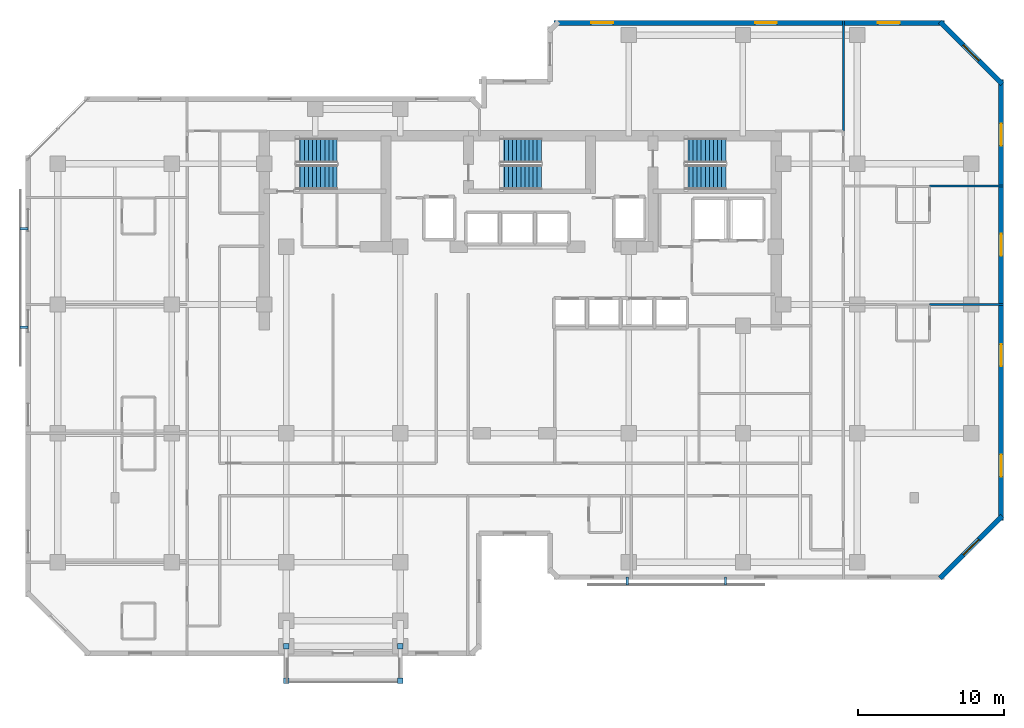
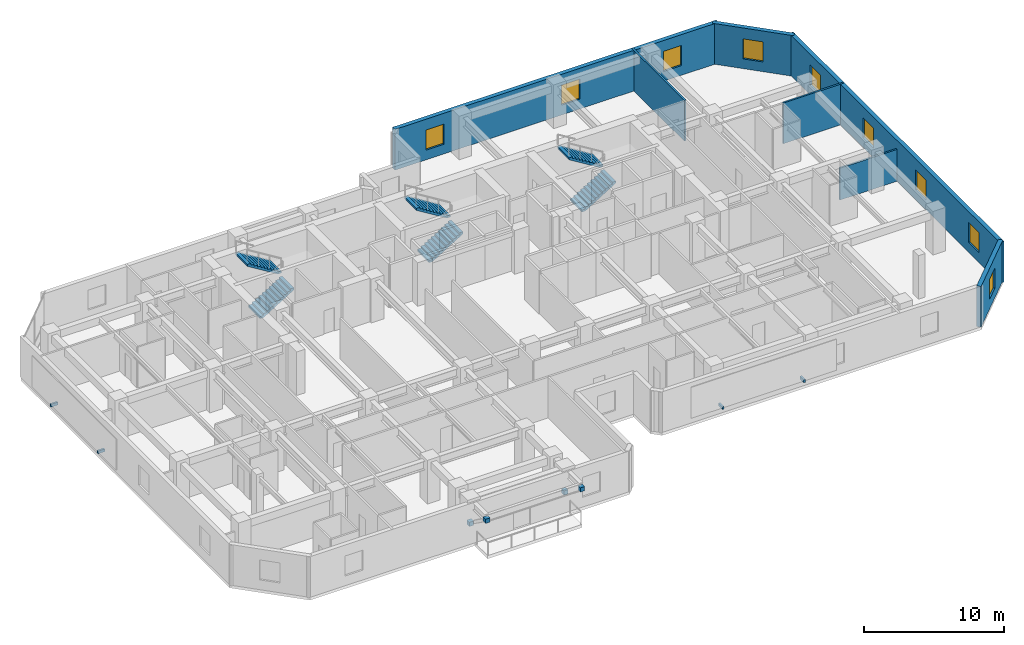
# One storey, part 9 of 11: 9 windows, 8 discrete accessories, 7 walls, 6 stair flights, 9 openings, 3 elements without a shape of their own.
"""IFC4 building model written with IfcOpenShell, lengths in metres."""

from ifc_helpers import new_model, si_unit, direction, frame, frame_2d, origin, origin_2d, place, context, subcontext, project, spatial, polyline, rectangle, outline, extrude, material, layer, layer_set, type_object, element, fill, aggregate, save


model = new_model("IFC4")

# Units and contexts
model_context = context("Model", 3, precision=1e-05, world=origin(), true_north=direction((0.0, 1.0)))
body_context = subcontext(model_context, "Body", "Model", "MODEL_VIEW")
ifc_project = project(units=[si_unit("LENGTHUNIT", "METRE"), si_unit("AREAUNIT", "SQUARE_METRE"), si_unit("VOLUMEUNIT", "CUBIC_METRE"), si_unit("PLANEANGLEUNIT", "RADIAN"), si_unit("MASSUNIT", "GRAM", prefix="KILO")], contexts=[model_context])

# Site, building, storey
site_placement = place(None, origin())
site = spatial("IfcSite", under=ifc_project, at=site_placement, CompositionType="ELEMENT")
building_placement = place(site_placement, origin())
building = spatial("IfcBuilding", under=site, at=building_placement, Name="Kestravale Grand Hotel", CompositionType="ELEMENT")
storey_placement = place(building_placement, frame((0.0, 0.0, 165.0)))
storey = spatial("IfcBuildingStorey", under=building, at=storey_placement, Name="L41", CompositionType="ELEMENT", Elevation=165.0)

# Wall, opening, window
ifc_material_1 = material(Name="Precast concrete f'c 45 MPa", Category="concrete")
ifc_layer_1 = layer(ifc_material_1, 0.340087890625)
ifc_layer_set_1 = layer_set([ifc_layer_1], Name="EW-PREC-340")
wall_type_1 = type_object("IfcWallType", Name="EW-PREC-340", PredefinedType="SOLIDWALL", material=ifc_layer_set_1)
wall_1_placement = place(storey_placement, frame((68.051513671875, 10.091796875, 0.0), z_axis=(0.0, 0.0, 1.0), x_axis=(0.707106781187, 0.707106781187, 0.0)))
wall_1 = element("IfcWall", 1, at=wall_1_placement, inside=storey, type_object=wall_type_1, Name="L41 fluted precast facade wall 8", PredefinedType="SOLIDWALL", context=body_context, shape_type="SweptSolid", body=[
    extrude(rectangle(XDim=6.019775390625, YDim=0.340087890625, at=frame_2d((3.009765625, 0.0))), origin(), (0.0, 0.0, 1.0), 3.550048828125),
])
opening_1_placement = place(wall_1_placement, frame((2.260009765625, 0.0, 0.85009765625)))
opening_1 = element("IfcOpeningElement", 2, at=opening_1_placement, cuts=wall_1, Name="Opening W-GUEST-1500", PredefinedType="OPENING", context=body_context, shape_type="SweptSolid", body=[
    extrude(rectangle(XDim=1.5, YDim=1.75, at=frame_2d((0.75, 0.875))), frame((0.0, 0.179931640625, 0.0), z_axis=(0.0, -1.0, 0.0), x_axis=(1.0, 0.0, 0.0)), (0.0, 0.0, 1.0), 0.360107421875),
])
ifc_material_2 = material(Name="Insulated low-E double glazing in aluminium frame", Category="aluminium")
window_type = type_object("IfcWindowType", Name="W-GUEST-1500", PartitioningType="SINGLE_PANEL", PredefinedType="WINDOW", material=ifc_material_2)
window_1_placement = place(opening_1_placement, origin())
window_1 = element("IfcWindow", 3, at=window_1_placement, inside=storey, type_object=window_type, Name="L41 exterior window 8.1", OverallHeight=1.75, OverallWidth=1.5, PartitioningType="SINGLE_PANEL", PredefinedType="WINDOW", context=body_context, shape_type="SweptSolid", body=[
    extrude(rectangle(XDim=1.5, YDim=1.75, at=frame_2d((0.75, 0.875))), frame((0.0, 0.030029296875, 0.0), z_axis=(0.0, -1.0, 0.0), x_axis=(1.0, 0.0, 0.0)), (0.0, 0.0, 1.0), 0.06005859375),
])
fill(opening_1, window_1)

# Wall, openings, windows
wall_2_placement = place(storey_placement, frame((72.22998046875, 14.030029296875, 0.0), z_axis=(0.0, 0.0, 1.0), x_axis=(0.0, 1.0, 0.0)))
wall_2 = element("IfcWall", 4, at=wall_2_placement, inside=storey, type_object=wall_type_1, Name="L41 fluted precast facade wall 9", PredefinedType="SOLIDWALL", context=body_context, shape_type="SweptSolid", body=[
    extrude(rectangle(XDim=30.139892578125, YDim=0.340087890625, at=frame_2d((15.06982421875, 0.0))), origin(), (0.0, 0.0, 1.0), 3.550048828125),
])
opening_2_placement = place(wall_2_placement, frame((3.017578125, 0.0, 0.85009765625)))
opening_2 = element("IfcOpeningElement", 5, at=opening_2_placement, cuts=wall_2, Name="Opening W-GUEST-1500", PredefinedType="OPENING", context=body_context, shape_type="SweptSolid", body=[
    extrude(rectangle(XDim=1.5, YDim=1.75, at=frame_2d((0.75, 0.875))), frame((0.0, 0.179931640625, 0.0), z_axis=(0.0, -1.0, 0.0), x_axis=(1.0, 0.0, 0.0)), (0.0, 0.0, 1.0), 0.360107421875),
])
opening_3_placement = place(wall_2_placement, frame((10.552490234375, 0.0, 0.85009765625)))
opening_3 = element("IfcOpeningElement", 6, at=opening_3_placement, cuts=wall_2, Name="Opening W-GUEST-1500", PredefinedType="OPENING", context=body_context, shape_type="SweptSolid", body=[
    extrude(rectangle(XDim=1.5, YDim=1.75, at=frame_2d((0.75, 0.875))), frame((0.0, 0.179931640625, 0.0), z_axis=(0.0, -1.0, 0.0), x_axis=(1.0, 0.0, 0.0)), (0.0, 0.0, 1.0), 0.360107421875),
])
opening_4_placement = place(wall_2_placement, frame((18.08740234375, 0.0, 0.85009765625)))
opening_4 = element("IfcOpeningElement", 7, at=opening_4_placement, cuts=wall_2, Name="Opening W-GUEST-1500", PredefinedType="OPENING", context=body_context, shape_type="SweptSolid", body=[
    extrude(rectangle(XDim=1.5, YDim=1.75, at=frame_2d((0.75, 0.875))), frame((0.0, 0.179931640625, 0.0), z_axis=(0.0, -1.0, 0.0), x_axis=(1.0, 0.0, 0.0)), (0.0, 0.0, 1.0), 0.360107421875),
])
opening_5_placement = place(wall_2_placement, frame((25.62255859375, 0.0, 0.85009765625)))
opening_5 = element("IfcOpeningElement", 8, at=opening_5_placement, cuts=wall_2, Name="Opening W-GUEST-1500", PredefinedType="OPENING", context=body_context, shape_type="SweptSolid", body=[
    extrude(rectangle(XDim=1.5, YDim=1.75, at=frame_2d((0.75, 0.875))), frame((0.0, 0.179931640625, 0.0), z_axis=(0.0, -1.0, 0.0), x_axis=(1.0, 0.0, 0.0)), (0.0, 0.0, 1.0), 0.360107421875),
])
window_2_placement = place(opening_2_placement, origin())
window_2 = element("IfcWindow", 9, at=window_2_placement, inside=storey, type_object=window_type, Name="L41 exterior window 9.1", OverallHeight=1.75, OverallWidth=1.5, PartitioningType="SINGLE_PANEL", PredefinedType="WINDOW", context=body_context, shape_type="SweptSolid", body=[
    extrude(rectangle(XDim=1.5, YDim=1.75, at=frame_2d((0.75, 0.875))), frame((0.0, 0.030029296875, 0.0), z_axis=(0.0, -1.0, 0.0), x_axis=(1.0, 0.0, 0.0)), (0.0, 0.0, 1.0), 0.06005859375),
])
fill(opening_2, window_2)
window_3_placement = place(opening_3_placement, origin())
window_3 = element("IfcWindow", 10, at=window_3_placement, inside=storey, type_object=window_type, Name="L41 exterior window 9.2", OverallHeight=1.75, OverallWidth=1.5, PartitioningType="SINGLE_PANEL", PredefinedType="WINDOW", context=body_context, shape_type="SweptSolid", body=[
    extrude(rectangle(XDim=1.5, YDim=1.75, at=frame_2d((0.75, 0.875))), frame((0.0, 0.030029296875, 0.0), z_axis=(0.0, -1.0, 0.0), x_axis=(1.0, 0.0, 0.0)), (0.0, 0.0, 1.0), 0.06005859375),
])
fill(opening_3, window_3)
window_4_placement = place(opening_4_placement, origin())
window_4 = element("IfcWindow", 11, at=window_4_placement, inside=storey, type_object=window_type, Name="L41 exterior window 9.3", OverallHeight=1.75, OverallWidth=1.5, PartitioningType="SINGLE_PANEL", PredefinedType="WINDOW", context=body_context, shape_type="SweptSolid", body=[
    extrude(rectangle(XDim=1.5, YDim=1.75, at=frame_2d((0.75, 0.875))), frame((0.0, 0.030029296875, 0.0), z_axis=(0.0, -1.0, 0.0), x_axis=(1.0, 0.0, 0.0)), (0.0, 0.0, 1.0), 0.06005859375),
])
fill(opening_4, window_4)
window_5_placement = place(opening_5_placement, origin())
window_5 = element("IfcWindow", 12, at=window_5_placement, inside=storey, type_object=window_type, Name="L41 exterior window 9.4", OverallHeight=1.75, OverallWidth=1.5, PartitioningType="SINGLE_PANEL", PredefinedType="WINDOW", context=body_context, shape_type="SweptSolid", body=[
    extrude(rectangle(XDim=1.5, YDim=1.75, at=frame_2d((0.75, 0.875))), frame((0.0, 0.030029296875, 0.0), z_axis=(0.0, -1.0, 0.0), x_axis=(1.0, 0.0, 0.0)), (0.0, 0.0, 1.0), 0.06005859375),
])
fill(opening_5, window_5)

# Wall, opening, window
wall_3_placement = place(storey_placement, frame((72.30810546875, 43.8515625, 0.0), z_axis=(0.0, 0.0, 1.0), x_axis=(-0.707106781187, 0.707106781187, 0.0)))
wall_3 = element("IfcWall", 13, at=wall_3_placement, inside=storey, type_object=wall_type_1, Name="L41 fluted precast facade wall 10", PredefinedType="SOLIDWALL", context=body_context, shape_type="SweptSolid", body=[
    extrude(rectangle(XDim=6.019775390625, YDim=0.340087890625, at=frame_2d((3.009765625, 0.0))), origin(), (0.0, 0.0, 1.0), 3.550048828125),
])
opening_6_placement = place(wall_3_placement, frame((2.260009765625, 0.0, 0.85009765625)))
opening_6 = element("IfcOpeningElement", 14, at=opening_6_placement, cuts=wall_3, Name="Opening W-GUEST-1500", PredefinedType="OPENING", context=body_context, shape_type="SweptSolid", body=[
    extrude(rectangle(XDim=1.5, YDim=1.75, at=frame_2d((0.75, 0.875))), frame((0.0, 0.179931640625, 0.0), z_axis=(0.0, -1.0, 0.0), x_axis=(1.0, 0.0, 0.0)), (0.0, 0.0, 1.0), 0.360107421875),
])
window_6_placement = place(opening_6_placement, origin())
window_6 = element("IfcWindow", 15, at=window_6_placement, inside=storey, type_object=window_type, Name="L41 exterior window 10.1", OverallHeight=1.75, OverallWidth=1.5, PartitioningType="SINGLE_PANEL", PredefinedType="WINDOW", context=body_context, shape_type="SweptSolid", body=[
    extrude(rectangle(XDim=1.5, YDim=1.75, at=frame_2d((0.75, 0.875))), frame((0.0, 0.030029296875, 0.0), z_axis=(0.0, -1.0, 0.0), x_axis=(1.0, 0.0, 0.0)), (0.0, 0.0, 1.0), 0.06005859375),
])
fill(opening_6, window_6)

# Wall, openings, windows
wall_4_placement = place(storey_placement, frame((68.3701171875, 48.030029296875, 0.0), z_axis=(0.0, 0.0, 1.0), x_axis=(-1.0, 0.0, 0.0)))
wall_4 = element("IfcWall", 16, at=wall_4_placement, inside=storey, type_object=wall_type_1, Name="L41 fluted precast facade wall 11", PredefinedType="SOLIDWALL", context=body_context, shape_type="SweptSolid", body=[
    extrude(rectangle(XDim=26.690185546875, YDim=0.340087890625, at=frame_2d((13.34521484375, 0.0))), origin(), (0.0, 0.0, 1.0), 3.550048828125),
])
opening_7_placement = place(wall_4_placement, frame((3.04833984375, 0.0, 0.85009765625)))
opening_7 = element("IfcOpeningElement", 17, at=opening_7_placement, cuts=wall_4, Name="Opening W-GUEST-1500", PredefinedType="OPENING", context=body_context, shape_type="SweptSolid", body=[
    extrude(rectangle(XDim=1.5, YDim=1.75, at=frame_2d((0.75, 0.875))), frame((0.0, 0.179931640625, 0.0), z_axis=(0.0, -1.0, 0.0), x_axis=(1.0, 0.0, 0.0)), (0.0, 0.0, 1.0), 0.360107421875),
])
opening_8_placement = place(wall_4_placement, frame((11.445068359375, 0.0, 0.85009765625)))
opening_8 = element("IfcOpeningElement", 18, at=opening_8_placement, cuts=wall_4, Name="Opening W-GUEST-1500", PredefinedType="OPENING", context=body_context, shape_type="SweptSolid", body=[
    extrude(rectangle(XDim=1.5, YDim=1.75, at=frame_2d((0.75, 0.875))), frame((0.0, 0.179931640625, 0.0), z_axis=(0.0, -1.0, 0.0), x_axis=(1.0, 0.0, 0.0)), (0.0, 0.0, 1.0), 0.360107421875),
])
opening_9_placement = place(wall_4_placement, frame((22.6416015625, 0.0, 0.85009765625)))
opening_9 = element("IfcOpeningElement", 19, at=opening_9_placement, cuts=wall_4, Name="Opening W-GUEST-1500", PredefinedType="OPENING", context=body_context, shape_type="SweptSolid", body=[
    extrude(rectangle(XDim=1.5, YDim=1.75, at=frame_2d((0.75, 0.875))), frame((0.0, 0.179931640625, 0.0), z_axis=(0.0, -1.0, 0.0), x_axis=(1.0, 0.0, 0.0)), (0.0, 0.0, 1.0), 0.360107421875),
])
window_7_placement = place(opening_7_placement, origin())
window_7 = element("IfcWindow", 20, at=window_7_placement, inside=storey, type_object=window_type, Name="L41 exterior window 11.1", OverallHeight=1.75, OverallWidth=1.5, PartitioningType="SINGLE_PANEL", PredefinedType="WINDOW", context=body_context, shape_type="SweptSolid", body=[
    extrude(rectangle(XDim=1.5, YDim=1.75, at=frame_2d((0.75, 0.875))), frame((0.0, 0.030029296875, 0.0), z_axis=(0.0, -1.0, 0.0), x_axis=(1.0, 0.0, 0.0)), (0.0, 0.0, 1.0), 0.06005859375),
])
fill(opening_7, window_7)
window_8_placement = place(opening_8_placement, origin())
window_8 = element("IfcWindow", 21, at=window_8_placement, inside=storey, type_object=window_type, Name="L41 exterior window 11.2", OverallHeight=1.75, OverallWidth=1.5, PartitioningType="SINGLE_PANEL", PredefinedType="WINDOW", context=body_context, shape_type="SweptSolid", body=[
    extrude(rectangle(XDim=1.5, YDim=1.75, at=frame_2d((0.75, 0.875))), frame((0.0, 0.030029296875, 0.0), z_axis=(0.0, -1.0, 0.0), x_axis=(1.0, 0.0, 0.0)), (0.0, 0.0, 1.0), 0.06005859375),
])
fill(opening_8, window_8)
window_9_placement = place(opening_9_placement, origin())
window_9 = element("IfcWindow", 22, at=window_9_placement, inside=storey, type_object=window_type, Name="L41 exterior window 11.3", OverallHeight=1.75, OverallWidth=1.5, PartitioningType="SINGLE_PANEL", PredefinedType="WINDOW", context=body_context, shape_type="SweptSolid", body=[
    extrude(rectangle(XDim=1.5, YDim=1.75, at=frame_2d((0.75, 0.875))), frame((0.0, 0.030029296875, 0.0), z_axis=(0.0, -1.0, 0.0), x_axis=(1.0, 0.0, 0.0)), (0.0, 0.0, 1.0), 0.06005859375),
])
fill(opening_9, window_9)

# Walls
ifc_material_3 = material(Name="Double-stud STC 52 acoustic demising partition", Category="other")
ifc_layer_2 = layer(ifc_material_3, 0.14990234375)
ifc_layer_set_2 = layer_set([ifc_layer_2], Name="IW-UNIT-150")
wall_type_2 = type_object("IfcWallType", Name="IW-UNIT-150", PredefinedType="PARTITIONING", material=ifc_layer_set_2)
wall_5_placement = place(storey_placement, frame((61.4599609375, 40.64990234375, 0.0), z_axis=(0.0, 0.0, 1.0), x_axis=(0.0, 1.0, 0.0)))
element("IfcWall", 23, at=wall_5_placement, inside=storey, type_object=wall_type_2, Name="W-L41-NGE-E", PredefinedType="PARTITIONING", context=body_context, shape_type="SweptSolid", body=[
    extrude(rectangle(XDim=7.530029296875, YDim=0.14990234375, at=frame_2d((3.76513671875, 0.0))), origin(), (0.0, 0.0, 1.0), 3.550048828125),
])
wall_6_placement = place(storey_placement, frame((67.35009765625, 28.800048828125, 0.0), z_axis=(0.0, 0.0, 1.0), x_axis=(1.0, 0.0, 0.0)))
element("IfcWall", 24, at=wall_6_placement, inside=storey, type_object=wall_type_2, Name="W-L41-EW-1", PredefinedType="PARTITIONING", context=body_context, shape_type="SweptSolid", body=[
    extrude(rectangle(XDim=5.02978515625, YDim=0.14990234375, at=frame_2d((2.514892578125, 0.0))), origin(), (0.0, 0.0, 1.0), 2.778076171875),
])
wall_7_placement = place(storey_placement, frame((67.35009765625, 36.89990234375, 0.0), z_axis=(0.0, 0.0, 1.0), x_axis=(1.0, 0.0, 0.0)))
element("IfcWall", 25, at=wall_7_placement, inside=storey, type_object=wall_type_2, Name="W-L41-EW-2", PredefinedType="PARTITIONING", context=body_context, shape_type="SweptSolid", body=[
    extrude(rectangle(XDim=5.02978515625, YDim=0.14990234375, at=frame_2d((2.514892578125, 0.0))), origin(), (0.0, 0.0, 1.0), 3.550048828125),
])

# Stair, stair flights
ifc_material_4 = material(Name="Concrete f'c 45 MPa", Category="concrete")
stair_type = type_object("IfcStairType", Name="ST-CORE-380", PredefinedType="HALF_TURN_STAIR", material=ifc_material_4)
stair_1_placement = place(storey_placement, origin())
stair_1 = element("IfcStair", 26, at=stair_1_placement, inside=storey, type_object=stair_type, Name="L41 ST-1", PredefinedType="HALF_TURN_STAIR")
ifc_material_5 = material(Name="Concrete f'c 45 MPa", Category="concrete")
stair_flight_type = type_object("IfcStairFlightType", Name="STF-CORE-380", PredefinedType="STRAIGHT", material=ifc_material_5)
stair_flight_1_placement = place(storey_placement, frame((24.080078125, 37.489990234375, 0.0), z_axis=(0.0, 0.0, 1.0), x_axis=(1.0, 0.0, 0.0)))
stair_flight_1 = element("IfcStairFlight", 27, at=stair_flight_1_placement, type_object=stair_flight_type, Name="ST-1 flight 1", NumberOfRisers=11, NumberOfTreads=10, PredefinedType="STRAIGHT", RiserHeight=0.172727273, TreadLength=0.28, context=body_context, shape_type="SweptSolid", body=[
    extrude(outline(polyline([(0.0, 0.0), (0.0, 0.172607421875), (0.280029296875, 0.172607421875), (0.280029296875, 0.345458984375), (0.56005859375, 0.345458984375), (0.56005859375, 0.51806640625), (0.840087890625, 0.51806640625), (0.840087890625, 0.69091796875), (1.1201171875, 0.69091796875), (1.1201171875, 0.863525390625), (1.39990234375, 0.863525390625), (1.39990234375, 1.036376953125), (1.679931640625, 1.036376953125), (1.679931640625, 1.208984375), (1.9599609375, 1.208984375), (1.9599609375, 1.3818359375), (2.239990234375, 1.3818359375), (2.239990234375, 1.554443359375), (2.52001953125, 1.554443359375), (2.52001953125, 1.727294921875), (2.800048828125, 1.727294921875), (2.800048828125, 1.89990234375), (2.800048828125, 1.551025390625), (0.285400390625, 0.0), (0.0, 0.0)])), frame((0.0, 0.83984375, 0.0), z_axis=(0.0, -1.0, 0.0), x_axis=(1.0, 0.0, 0.0)), (0.0, 0.0, 1.0), 1.679931640625),
])
stair_flight_2_placement = place(storey_placement, frame((26.8798828125, 39.320068359375, 1.89990234375), z_axis=(0.0, 0.0, 1.0), x_axis=(-1.0, 0.0, 0.0)))
stair_flight_2 = element("IfcStairFlight", 28, at=stair_flight_2_placement, type_object=stair_flight_type, Name="ST-1 flight 2", NumberOfRisers=11, NumberOfTreads=10, PredefinedType="STRAIGHT", RiserHeight=0.172727273, TreadLength=0.28, context=body_context, shape_type="SweptSolid", body=[
    extrude(outline(polyline([(0.0, 0.0), (0.0, 0.172607421875), (0.280029296875, 0.172607421875), (0.280029296875, 0.345458984375), (0.56005859375, 0.345458984375), (0.56005859375, 0.51806640625), (0.840087890625, 0.51806640625), (0.840087890625, 0.69091796875), (1.1201171875, 0.69091796875), (1.1201171875, 0.863525390625), (1.39990234375, 0.863525390625), (1.39990234375, 1.036376953125), (1.679931640625, 1.036376953125), (1.679931640625, 1.208984375), (1.9599609375, 1.208984375), (1.9599609375, 1.3818359375), (2.239990234375, 1.3818359375), (2.239990234375, 1.554443359375), (2.52001953125, 1.554443359375), (2.52001953125, 1.727294921875), (2.800048828125, 1.727294921875), (2.800048828125, 1.89990234375), (2.800048828125, 1.551025390625), (0.285400390625, 0.0), (0.0, 0.0)])), frame((0.0, 0.83984375, 0.0), z_axis=(0.0, -1.0, 0.0), x_axis=(1.0, 0.0, 0.0)), (0.0, 0.0, 1.0), 1.679931640625),
])
aggregate(stair_1, [stair_flight_1, stair_flight_2])

stair_2_placement = place(storey_placement, origin())
stair_2 = element("IfcStair", 29, at=stair_2_placement, inside=storey, type_object=stair_type, Name="L41 ST-2", PredefinedType="HALF_TURN_STAIR")
stair_flight_3_placement = place(storey_placement, frame((38.030029296875, 37.489990234375, 0.0), z_axis=(0.0, 0.0, 1.0), x_axis=(1.0, 0.0, 0.0)))
stair_flight_3 = element("IfcStairFlight", 30, at=stair_flight_3_placement, type_object=stair_flight_type, Name="ST-2 flight 1", NumberOfRisers=11, NumberOfTreads=10, PredefinedType="STRAIGHT", RiserHeight=0.172727273, TreadLength=0.28, context=body_context, shape_type="SweptSolid", body=[
    extrude(outline(polyline([(0.0, 0.0), (0.0, 0.172607421875), (0.280029296875, 0.172607421875), (0.280029296875, 0.345458984375), (0.56005859375, 0.345458984375), (0.56005859375, 0.51806640625), (0.840087890625, 0.51806640625), (0.840087890625, 0.69091796875), (1.1201171875, 0.69091796875), (1.1201171875, 0.863525390625), (1.39990234375, 0.863525390625), (1.39990234375, 1.036376953125), (1.679931640625, 1.036376953125), (1.679931640625, 1.208984375), (1.9599609375, 1.208984375), (1.9599609375, 1.3818359375), (2.239990234375, 1.3818359375), (2.239990234375, 1.554443359375), (2.52001953125, 1.554443359375), (2.52001953125, 1.727294921875), (2.800048828125, 1.727294921875), (2.800048828125, 1.89990234375), (2.800048828125, 1.551025390625), (0.285400390625, 0.0), (0.0, 0.0)])), frame((0.0, 0.83984375, 0.0), z_axis=(0.0, -1.0, 0.0), x_axis=(1.0, 0.0, 0.0)), (0.0, 0.0, 1.0), 1.679931640625),
])
stair_flight_4_placement = place(storey_placement, frame((40.830078125, 39.320068359375, 1.89990234375), z_axis=(0.0, 0.0, 1.0), x_axis=(-1.0, 0.0, 0.0)))
stair_flight_4 = element("IfcStairFlight", 31, at=stair_flight_4_placement, type_object=stair_flight_type, Name="ST-2 flight 2", NumberOfRisers=11, NumberOfTreads=10, PredefinedType="STRAIGHT", RiserHeight=0.172727273, TreadLength=0.28, context=body_context, shape_type="SweptSolid", body=[
    extrude(outline(polyline([(0.0, 0.0), (0.0, 0.172607421875), (0.280029296875, 0.172607421875), (0.280029296875, 0.345458984375), (0.56005859375, 0.345458984375), (0.56005859375, 0.51806640625), (0.840087890625, 0.51806640625), (0.840087890625, 0.69091796875), (1.1201171875, 0.69091796875), (1.1201171875, 0.863525390625), (1.39990234375, 0.863525390625), (1.39990234375, 1.036376953125), (1.679931640625, 1.036376953125), (1.679931640625, 1.208984375), (1.9599609375, 1.208984375), (1.9599609375, 1.3818359375), (2.239990234375, 1.3818359375), (2.239990234375, 1.554443359375), (2.52001953125, 1.554443359375), (2.52001953125, 1.727294921875), (2.800048828125, 1.727294921875), (2.800048828125, 1.89990234375), (2.800048828125, 1.551025390625), (0.285400390625, 0.0), (0.0, 0.0)])), frame((0.0, 0.83984375, 0.0), z_axis=(0.0, -1.0, 0.0), x_axis=(1.0, 0.0, 0.0)), (0.0, 0.0, 1.0), 1.679931640625),
])
aggregate(stair_2, [stair_flight_3, stair_flight_4])

stair_3_placement = place(storey_placement, origin())
stair_3 = element("IfcStair", 32, at=stair_3_placement, inside=storey, type_object=stair_type, Name="L41 ST-3", PredefinedType="HALF_TURN_STAIR")
stair_flight_5_placement = place(storey_placement, frame((50.6298828125, 37.489990234375, 0.0), z_axis=(0.0, 0.0, 1.0), x_axis=(1.0, 0.0, 0.0)))
stair_flight_5 = element("IfcStairFlight", 33, at=stair_flight_5_placement, type_object=stair_flight_type, Name="ST-3 flight 1", NumberOfRisers=11, NumberOfTreads=10, PredefinedType="STRAIGHT", RiserHeight=0.172727273, TreadLength=0.28, context=body_context, shape_type="SweptSolid", body=[
    extrude(outline(polyline([(0.0, 0.0), (0.0, 0.172607421875), (0.280029296875, 0.172607421875), (0.280029296875, 0.345458984375), (0.56005859375, 0.345458984375), (0.56005859375, 0.51806640625), (0.840087890625, 0.51806640625), (0.840087890625, 0.69091796875), (1.1201171875, 0.69091796875), (1.1201171875, 0.863525390625), (1.39990234375, 0.863525390625), (1.39990234375, 1.036376953125), (1.679931640625, 1.036376953125), (1.679931640625, 1.208984375), (1.9599609375, 1.208984375), (1.9599609375, 1.3818359375), (2.239990234375, 1.3818359375), (2.239990234375, 1.554443359375), (2.52001953125, 1.554443359375), (2.52001953125, 1.727294921875), (2.800048828125, 1.727294921875), (2.800048828125, 1.89990234375), (2.800048828125, 1.551025390625), (0.285400390625, 0.0), (0.0, 0.0)])), frame((0.0, 0.83984375, 0.0), z_axis=(0.0, -1.0, 0.0), x_axis=(1.0, 0.0, 0.0)), (0.0, 0.0, 1.0), 1.679931640625),
])
stair_flight_6_placement = place(storey_placement, frame((53.429931640625, 39.320068359375, 1.89990234375), z_axis=(0.0, 0.0, 1.0), x_axis=(-1.0, 0.0, 0.0)))
stair_flight_6 = element("IfcStairFlight", 34, at=stair_flight_6_placement, type_object=stair_flight_type, Name="ST-3 flight 2", NumberOfRisers=11, NumberOfTreads=10, PredefinedType="STRAIGHT", RiserHeight=0.172727273, TreadLength=0.28, context=body_context, shape_type="SweptSolid", body=[
    extrude(outline(polyline([(0.0, 0.0), (0.0, 0.172607421875), (0.280029296875, 0.172607421875), (0.280029296875, 0.345458984375), (0.56005859375, 0.345458984375), (0.56005859375, 0.51806640625), (0.840087890625, 0.51806640625), (0.840087890625, 0.69091796875), (1.1201171875, 0.69091796875), (1.1201171875, 0.863525390625), (1.39990234375, 0.863525390625), (1.39990234375, 1.036376953125), (1.679931640625, 1.036376953125), (1.679931640625, 1.208984375), (1.9599609375, 1.208984375), (1.9599609375, 1.3818359375), (2.239990234375, 1.3818359375), (2.239990234375, 1.554443359375), (2.52001953125, 1.554443359375), (2.52001953125, 1.727294921875), (2.800048828125, 1.727294921875), (2.800048828125, 1.89990234375), (2.800048828125, 1.551025390625), (0.285400390625, 0.0), (0.0, 0.0)])), frame((0.0, 0.83984375, 0.0), z_axis=(0.0, -1.0, 0.0), x_axis=(1.0, 0.0, 0.0)), (0.0, 0.0, 1.0), 1.679931640625),
])
aggregate(stair_3, [stair_flight_5, stair_flight_6])

# Discrete accessories
ifc_material_6 = material(Name="Steel ASTM A572 Grade 50 hot-dip galvanised bracket", Category="steel")
discrete_accessory_type = type_object("IfcDiscreteAccessoryType", Name="ACC-BRK-STL", PredefinedType="BRACKET", material=ifc_material_6)
for number, where, z_axis, x_axis, name in (
    (35, (23.39990234375, 5.449951171875, 1.19384765625), (0.0, 0.0, 1.0), (1.0, 0.0, 0.0), "L42 terrace strut column bracket 1"),
    (36, (23.39990234375, 3.10009765625, 2.89404296875), (0.0, 0.0, 1.0), (1.0, 0.0, 0.0), "L42 terrace strut beam bracket 1"),
    (37, (31.199951171875, 5.449951171875, 1.19384765625), (0.0, 0.0, 1.0), (1.0, 0.0, 0.0), "L42 terrace strut column bracket 2"),
    (38, (31.199951171875, 3.10009765625, 2.89404296875), (0.0, 0.0, 1.0), (1.0, 0.0, 0.0), "L42 terrace strut beam bracket 2"),
):
    element("IfcDiscreteAccessory", number, at=place(storey_placement, frame(where, z_axis=z_axis, x_axis=x_axis)), inside=storey, type_object=discrete_accessory_type, Name=name, PredefinedType="BRACKET", context=body_context, shape_type="SweptSolid", body=[
        extrude(rectangle(XDim=0.360107421875, YDim=0.360107421875, at=origin_2d()), origin(), (0.0, 0.0, 1.0), 0.360107421875),
    ])
for number, where, z_axis, x_axis, name in (
    (39, (46.68994140625, 9.905029296875, 0.56005859375), (0.0, 0.0, 1.0), (1.0, 0.0, 0.0), "L41 solar screen standoff bracket 1"),
    (40, (53.409912109375, 9.905029296875, 0.56005859375), (0.0, 0.0, 1.0), (1.0, 0.0, 0.0), "L41 solar screen standoff bracket 2"),
    (41, (5.5048828125, 33.9599609375, 0.56005859375), (0.0, 0.0, 1.0), (0.0, -1.0, 0.0), "L41 solar screen standoff bracket 1"),
    (42, (5.5048828125, 27.239990234375, 0.56005859375), (0.0, 0.0, 1.0), (0.0, -1.0, 0.0), "L41 solar screen standoff bracket 2"),
):
    element("IfcDiscreteAccessory", number, at=place(storey_placement, frame(where, z_axis=z_axis, x_axis=x_axis)), inside=storey, type_object=discrete_accessory_type, Name=name, PredefinedType="BRACKET", context=body_context, shape_type="SweptSolid", body=[
        extrude(rectangle(XDim=0.159912109375, YDim=0.56005859375, at=origin_2d()), origin(), (0.0, 0.0, 1.0), 0.239990234375),
    ])

save(model, "model.ifc")
